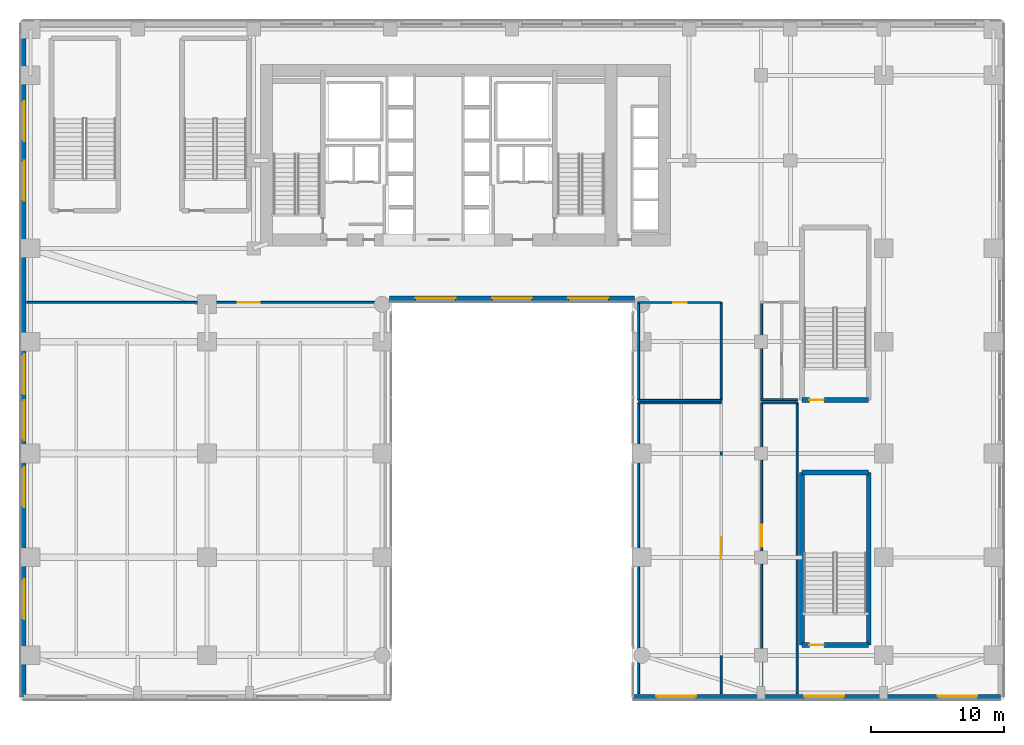
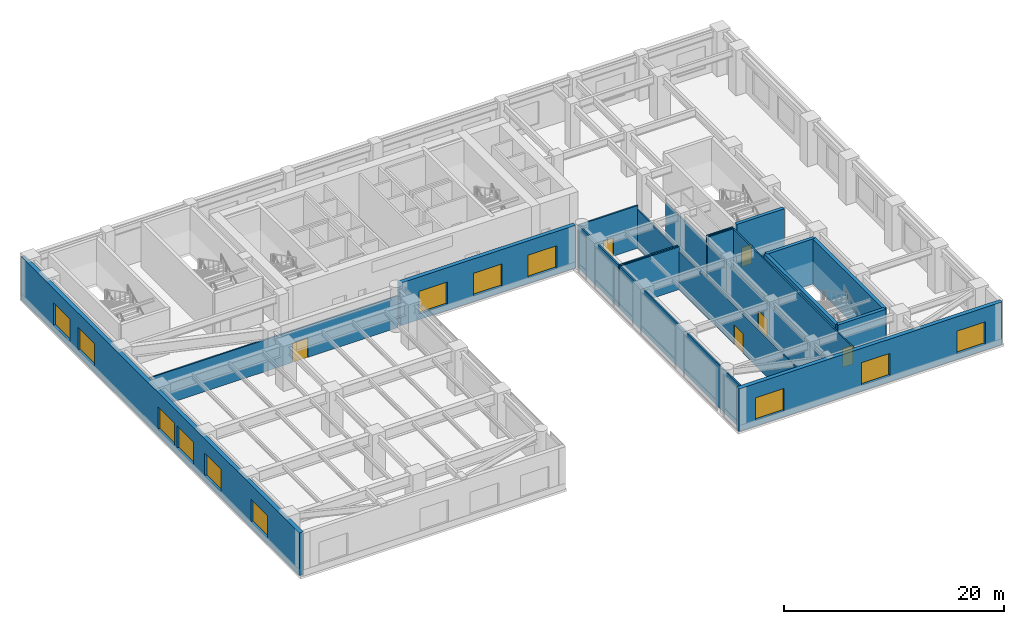
# One storey, part 13 of 24: 22 walls, 12 windows, 6 doors, 18 openings.
"""IFC4 building model written with IfcOpenShell, lengths in metres."""

from ifc_helpers import new_model, si_unit, direction, frame, frame_2d, origin, place, context, subcontext, project, spatial, rectangle, extrude, source, transform, mapped, material, layer, layer_set, type_object, type_shapes, element, fill, save


model = new_model("IFC4")

# Units and contexts
model_context = context("Model", 3, precision=1e-05, world=origin(), true_north=direction((0.0, 1.0)))
body_context = subcontext(model_context, "Body", "Model", "MODEL_VIEW")
ifc_project = project(units=[si_unit("LENGTHUNIT", "METRE"), si_unit("AREAUNIT", "SQUARE_METRE"), si_unit("VOLUMEUNIT", "CUBIC_METRE"), si_unit("PLANEANGLEUNIT", "RADIAN"), si_unit("MASSUNIT", "GRAM", prefix="KILO")], contexts=[model_context])

# Site, building, storey
site_placement = place(None, origin())
site = spatial("IfcSite", under=ifc_project, at=site_placement, CompositionType="ELEMENT")
building_placement = place(site_placement, origin())
building = spatial("IfcBuilding", under=site, at=building_placement, Name="Tolvann Quenvar Hotel", CompositionType="ELEMENT")
storey_placement = place(building_placement, frame((0.0, 0.0, 6.0)))
storey = spatial("IfcBuildingStorey", under=building, at=storey_placement, Name="L01", CompositionType="ELEMENT", Elevation=6.0)

# Wall, opening, door
ifc_material_1 = material(Name="Concrete S65 (65 MPa)", Category="concrete")
ifc_layer_1 = layer(ifc_material_1, 0.35009765625)
ifc_layer_set_1 = layer_set([ifc_layer_1], Name="Concrete S65 (65 MPa)")
wall_type_1 = type_object("IfcWallType", Name="WALL_CORE_INT_350", PredefinedType="SHEAR", material=ifc_layer_set_1)
wall_1_placement = place(storey_placement, frame((50.27490234375, 1.625, 0.0), z_axis=(0.0, 0.0, 1.0), x_axis=(1.0, 0.0, 0.0)))
wall_1 = element("IfcWall", 1, at=wall_1_placement, inside=storey, type_object=wall_type_1, Name="Stairwell ST-P3 Structural Shaft Wall S (L01)", PredefinedType="SHEAR", context=body_context, shape_type="SweptSolid", body=[
    extrude(rectangle(XDim=5.0, YDim=0.35009765625, at=frame_2d((2.5, 0.0))), origin(), (0.0, 0.0, 1.0), 5.0),
])
opening_1_placement = place(wall_1_placement, frame((0.550048828125, 0.0, 0.0)))
opening_1 = element("IfcOpeningElement", 2, at=opening_1_placement, cuts=wall_1, Name="Opening FD-120", PredefinedType="OPENING", context=body_context, shape_type="SweptSolid", body=[
    extrude(rectangle(XDim=1.10009765625, YDim=2.1201171875, at=frame_2d((0.550048828125, 1.06005859375))), frame((0.0, 0.18505859375, 0.0), z_axis=(0.0, -1.0, 0.0), x_axis=(1.0, 0.0, 0.0)), (0.0, 0.0, 1.0), 0.3701171875),
])
ifc_material_2 = material(Name="Pressed galvanised steel fire-rated door set", Category="steel")
door_type_1 = type_object("IfcDoorType", Name="DOOR_FIRE_STAIR_1100", OperationType="NOTDEFINED", PredefinedType="DOOR", material=ifc_material_2)
shared_shape_1 = source(origin(), body_context, "Body", "SweptSolid", [
    extrude(rectangle(XDim=1.10009765625, YDim=2.1201171875, at=frame_2d((0.550048828125, 1.06005859375))), frame((0.0, 0.02490234375, 0.0), z_axis=(0.0, -1.0, 0.0), x_axis=(1.0, 0.0, 0.0)), (0.0, 0.0, 1.0), 0.050048828125),
])
type_shapes(door_type_1, [shared_shape_1])
door_1_placement = place(opening_1_placement, origin())
door_1 = element("IfcDoor", 3, at=door_1_placement, inside=storey, type_object=door_type_1, Name="Exit Stair ST-P3 Fire Door (L01)", OperationType="SINGLE_SWING_LEFT", OverallHeight=2.1201171875, OverallWidth=1.10009765625, PredefinedType="DOOR", context=body_context, shape_type="MappedRepresentation", body=[
    mapped(shared_shape_1, transform((0.0, 0.0, 0.0), x_axis=(1.0, 0.0, 0.0), y_axis=(0.0, 1.0, 0.0), z_axis=(0.0, 0.0, 1.0), scale=1.0)),
])
fill(opening_1, door_1)

# Walls
wall_2_placement = place(storey_placement, frame((55.27490234375, 1.625, 0.0), z_axis=(0.0, 0.0, 1.0), x_axis=(0.0, 1.0, 0.0)))
element("IfcWall", 4, at=wall_2_placement, inside=storey, type_object=wall_type_1, Name="Stairwell ST-P3 Structural Shaft Wall E (L01)", PredefinedType="SHEAR", context=body_context, shape_type="SweptSolid", body=[
    extrude(rectangle(XDim=12.949951171875, YDim=0.35009765625, at=frame_2d((6.47509765625, 0.0))), origin(), (0.0, 0.0, 1.0), 5.0),
])
wall_3_placement = place(storey_placement, frame((55.27490234375, 14.574951171875, 0.0), z_axis=(0.0, 0.0, 1.0), x_axis=(-1.0, 0.0, 0.0)))
element("IfcWall", 5, at=wall_3_placement, inside=storey, type_object=wall_type_1, Name="Stairwell ST-P3 Structural Shaft Wall N (L01)", PredefinedType="SHEAR", context=body_context, shape_type="SweptSolid", body=[
    extrude(rectangle(XDim=5.0, YDim=0.35009765625, at=frame_2d((2.5, 0.0))), origin(), (0.0, 0.0, 1.0), 5.0),
])
wall_4_placement = place(storey_placement, frame((50.27490234375, 14.574951171875, 0.0), z_axis=(0.0, 0.0, 1.0), x_axis=(0.0, -1.0, 0.0)))
element("IfcWall", 6, at=wall_4_placement, inside=storey, type_object=wall_type_1, Name="Stairwell ST-P3 Structural Shaft Wall W (L01)", PredefinedType="SHEAR", context=body_context, shape_type="SweptSolid", body=[
    extrude(rectangle(XDim=12.949951171875, YDim=0.35009765625, at=frame_2d((6.47509765625, 0.0))), origin(), (0.0, 0.0, 1.0), 5.0),
])

# Wall, opening, door
wall_5_placement = place(storey_placement, frame((50.27490234375, 20.02490234375, 0.0), z_axis=(0.0, 0.0, 1.0), x_axis=(1.0, 0.0, 0.0)))
wall_5 = element("IfcWall", 7, at=wall_5_placement, inside=storey, type_object=wall_type_1, Name="Stairwell ST-P4 Structural Shaft Wall S (L01)", PredefinedType="SHEAR", context=body_context, shape_type="SweptSolid", body=[
    extrude(rectangle(XDim=5.0, YDim=0.35009765625, at=frame_2d((2.5, 0.0))), origin(), (0.0, 0.0, 1.0), 5.0),
])
opening_2_placement = place(wall_5_placement, frame((0.550048828125, 0.0, 0.0)))
opening_2 = element("IfcOpeningElement", 8, at=opening_2_placement, cuts=wall_5, Name="Opening FD-120", PredefinedType="OPENING", context=body_context, shape_type="SweptSolid", body=[
    extrude(rectangle(XDim=1.10009765625, YDim=2.1201171875, at=frame_2d((0.550048828125, 1.06005859375))), frame((0.0, 0.18505859375, 0.0), z_axis=(0.0, -1.0, 0.0), x_axis=(1.0, 0.0, 0.0)), (0.0, 0.0, 1.0), 0.3701171875),
])
door_2_placement = place(opening_2_placement, origin())
door_2 = element("IfcDoor", 9, at=door_2_placement, inside=storey, type_object=door_type_1, Name="Exit Stair ST-P4 Fire Door (L01)", OperationType="SINGLE_SWING_RIGHT", OverallHeight=2.1201171875, OverallWidth=1.10009765625, PredefinedType="DOOR", context=body_context, shape_type="MappedRepresentation", body=[
    mapped(shared_shape_1, transform((0.0, 0.0, 0.0), x_axis=(1.0, 0.0, 0.0), y_axis=(0.0, 1.0, 0.0), z_axis=(0.0, 0.0, 1.0), scale=1.0)),
])
fill(opening_2, door_2)

# Wall, openings, windows
ifc_material_3 = material(Name="Kiln-fired red and buff architectural clay brickwork and terracotta masonry", Category="masonry")
ifc_layer_2 = layer(ifc_material_3, 0.419921875)
ifc_layer_set_2 = layer_set([ifc_layer_2], Name="Kiln-fired red and buff architectural clay brickwork and terracotta masonry")
wall_type_2 = type_object("IfcWallType", Name="WALL_EXT_POD_420", PredefinedType="SOLIDWALL", material=ifc_layer_set_2)
wall_6_placement = place(storey_placement, frame((19.2900390625, 27.610107421875, 0.0), z_axis=(0.0, 0.0, 1.0), x_axis=(1.0, 0.0, 0.0)))
wall_6 = element("IfcWall", 10, at=wall_6_placement, inside=storey, type_object=wall_type_2, Name="Exterior Chicago Brick Wall L01-E02", PredefinedType="SOLIDWALL", context=body_context, shape_type="SweptSolid", body=[
    extrude(rectangle(XDim=18.419921875, YDim=0.419921875, at=frame_2d((9.2099609375, 0.0))), origin(), (0.0, 0.0, 1.0), 4.739990234375),
])
opening_3_placement = place(wall_6_placement, frame((1.969970703125, 0.0, 0.64990234375)))
opening_3 = element("IfcOpeningElement", 11, at=opening_3_placement, cuts=wall_6, Name="Opening W-05", PredefinedType="OPENING", context=body_context, shape_type="SweptSolid", body=[
    extrude(rectangle(XDim=3.0, YDim=2.5, at=frame_2d((1.5, 1.25))), frame((0.0, 0.219970703125, 0.0), z_axis=(0.0, -1.0, 0.0), x_axis=(1.0, 0.0, 0.0)), (0.0, 0.0, 1.0), 0.43994140625),
])
opening_4_placement = place(wall_6_placement, frame((7.7099609375, 0.0, 0.64990234375)))
opening_4 = element("IfcOpeningElement", 12, at=opening_4_placement, cuts=wall_6, Name="Opening W-05", PredefinedType="OPENING", context=body_context, shape_type="SweptSolid", body=[
    extrude(rectangle(XDim=3.0, YDim=2.5, at=frame_2d((1.5, 1.25))), frame((0.0, 0.219970703125, 0.0), z_axis=(0.0, -1.0, 0.0), x_axis=(1.0, 0.0, 0.0)), (0.0, 0.0, 1.0), 0.43994140625),
])
opening_5_placement = place(wall_6_placement, frame((13.449951171875, 0.0, 0.64990234375)))
opening_5 = element("IfcOpeningElement", 13, at=opening_5_placement, cuts=wall_6, Name="Opening W-05", PredefinedType="OPENING", context=body_context, shape_type="SweptSolid", body=[
    extrude(rectangle(XDim=3.0, YDim=2.5, at=frame_2d((1.5, 1.25))), frame((0.0, 0.219970703125, 0.0), z_axis=(0.0, -1.0, 0.0), x_axis=(1.0, 0.0, 0.0)), (0.0, 0.0, 1.0), 0.43994140625),
])
ifc_material_4 = material(Name="Thermally broken bronze-anodised aluminium frame with double low-E glazing", Category="aluminium")
window_type = type_object("IfcWindowType", Name="WIN_POD_3000x2600", PartitioningType="TRIPLE_PANEL_HORIZONTAL", PredefinedType="WINDOW", material=ifc_material_4)
shared_shape_2 = source(origin(), body_context, "Body", "SweptSolid", [
    extrude(rectangle(XDim=3.0, YDim=2.5, at=frame_2d((1.5, 1.25))), frame((0.0, 0.090087890625, 0.0), z_axis=(0.0, -1.0, 0.0), x_axis=(1.0, 0.0, 0.0)), (0.0, 0.0, 1.0), 0.06005859375),
])
type_shapes(window_type, [shared_shape_2])
window_1_placement = place(opening_3_placement, origin())
window_1 = element("IfcWindow", 14, at=window_1_placement, inside=storey, type_object=window_type, Name="Chicago Window W-05 (EW-L01-E02-W01)", OverallHeight=2.5, OverallWidth=3.0, PartitioningType="TRIPLE_PANEL_HORIZONTAL", PredefinedType="WINDOW", context=body_context, shape_type="MappedRepresentation", body=[
    mapped(shared_shape_2, transform((0.0, 0.0, 0.0), x_axis=(1.0, 0.0, 0.0), y_axis=(0.0, 1.0, 0.0), z_axis=(0.0, 0.0, 1.0), scale=1.0)),
])
fill(opening_3, window_1)
window_2_placement = place(opening_4_placement, origin())
window_2 = element("IfcWindow", 15, at=window_2_placement, inside=storey, type_object=window_type, Name="Chicago Window W-05 (EW-L01-E02-W02)", OverallHeight=2.5, OverallWidth=3.0, PartitioningType="TRIPLE_PANEL_HORIZONTAL", PredefinedType="WINDOW", context=body_context, shape_type="MappedRepresentation", body=[
    mapped(shared_shape_2, transform((0.0, 0.0, 0.0), x_axis=(1.0, 0.0, 0.0), y_axis=(0.0, 1.0, 0.0), z_axis=(0.0, 0.0, 1.0), scale=1.0)),
])
fill(opening_4, window_2)
window_3_placement = place(opening_5_placement, origin())
window_3 = element("IfcWindow", 16, at=window_3_placement, inside=storey, type_object=window_type, Name="Chicago Window W-05 (EW-L01-E02-W03)", OverallHeight=2.5, OverallWidth=3.0, PartitioningType="TRIPLE_PANEL_HORIZONTAL", PredefinedType="WINDOW", context=body_context, shape_type="MappedRepresentation", body=[
    mapped(shared_shape_2, transform((0.0, 0.0, 0.0), x_axis=(1.0, 0.0, 0.0), y_axis=(0.0, 1.0, 0.0), z_axis=(0.0, 0.0, 1.0), scale=1.0)),
])
fill(opening_5, window_3)

wall_7_placement = place(storey_placement, frame((37.590087890625, -2.2900390625, 0.0), z_axis=(0.0, 0.0, 1.0), x_axis=(1.0, 0.0, 0.0)))
wall_7 = element("IfcWall", 17, at=wall_7_placement, inside=storey, type_object=wall_type_2, Name="Exterior Chicago Brick Wall L01-E04", PredefinedType="SOLIDWALL", context=body_context, shape_type="SweptSolid", body=[
    extrude(rectangle(XDim=27.599853515625, YDim=0.419921875, at=frame_2d((13.7998046875, 0.0))), origin(), (0.0, 0.0, 1.0), 4.739990234375),
])
opening_6_placement = place(wall_7_placement, frame((1.739990234375, 0.0, 0.64990234375)))
opening_6 = element("IfcOpeningElement", 18, at=opening_6_placement, cuts=wall_7, Name="Opening W-05", PredefinedType="OPENING", context=body_context, shape_type="SweptSolid", body=[
    extrude(rectangle(XDim=3.0, YDim=2.5, at=frame_2d((1.5, 1.25))), frame((0.0, 0.219970703125, 0.0), z_axis=(0.0, -1.0, 0.0), x_axis=(1.0, 0.0, 0.0)), (0.0, 0.0, 1.0), 0.43994140625),
])
opening_7_placement = place(wall_7_placement, frame((12.85009765625, 0.0, 0.64990234375)))
opening_7 = element("IfcOpeningElement", 19, at=opening_7_placement, cuts=wall_7, Name="Opening W-05", PredefinedType="OPENING", context=body_context, shape_type="SweptSolid", body=[
    extrude(rectangle(XDim=3.0, YDim=2.5, at=frame_2d((1.5, 1.25))), frame((0.0, 0.219970703125, 0.0), z_axis=(0.0, -1.0, 0.0), x_axis=(1.0, 0.0, 0.0)), (0.0, 0.0, 1.0), 0.43994140625),
])
opening_8_placement = place(wall_7_placement, frame((22.860107421875, 0.0, 0.64990234375)))
opening_8 = element("IfcOpeningElement", 20, at=opening_8_placement, cuts=wall_7, Name="Opening W-05", PredefinedType="OPENING", context=body_context, shape_type="SweptSolid", body=[
    extrude(rectangle(XDim=3.0, YDim=2.5, at=frame_2d((1.5, 1.25))), frame((0.0, 0.219970703125, 0.0), z_axis=(0.0, -1.0, 0.0), x_axis=(1.0, 0.0, 0.0)), (0.0, 0.0, 1.0), 0.43994140625),
])
window_4_placement = place(opening_6_placement, origin())
window_4 = element("IfcWindow", 21, at=window_4_placement, inside=storey, type_object=window_type, Name="Chicago Window W-05 (EW-L01-E04-W01)", OverallHeight=2.5, OverallWidth=3.0, PartitioningType="TRIPLE_PANEL_HORIZONTAL", PredefinedType="WINDOW", context=body_context, shape_type="MappedRepresentation", body=[
    mapped(shared_shape_2, transform((0.0, 0.0, 0.0), x_axis=(1.0, 0.0, 0.0), y_axis=(0.0, 1.0, 0.0), z_axis=(0.0, 0.0, 1.0), scale=1.0)),
])
fill(opening_6, window_4)
window_5_placement = place(opening_7_placement, origin())
window_5 = element("IfcWindow", 22, at=window_5_placement, inside=storey, type_object=window_type, Name="Chicago Window W-05 (EW-L01-E04-W02)", OverallHeight=2.5, OverallWidth=3.0, PartitioningType="TRIPLE_PANEL_HORIZONTAL", PredefinedType="WINDOW", context=body_context, shape_type="MappedRepresentation", body=[
    mapped(shared_shape_2, transform((0.0, 0.0, 0.0), x_axis=(1.0, 0.0, 0.0), y_axis=(0.0, 1.0, 0.0), z_axis=(0.0, 0.0, 1.0), scale=1.0)),
])
fill(opening_7, window_5)
window_6_placement = place(opening_8_placement, origin())
window_6 = element("IfcWindow", 23, at=window_6_placement, inside=storey, type_object=window_type, Name="Chicago Window W-05 (EW-L01-E04-W03)", OverallHeight=2.5, OverallWidth=3.0, PartitioningType="TRIPLE_PANEL_HORIZONTAL", PredefinedType="WINDOW", context=body_context, shape_type="MappedRepresentation", body=[
    mapped(shared_shape_2, transform((0.0, 0.0, 0.0), x_axis=(1.0, 0.0, 0.0), y_axis=(0.0, 1.0, 0.0), z_axis=(0.0, 0.0, 1.0), scale=1.0)),
])
fill(opening_8, window_6)

wall_8_placement = place(storey_placement, frame((-8.18994140625, 48.2900390625, 0.0), z_axis=(0.0, 0.0, 1.0), x_axis=(0.0, -1.0, 0.0)))
wall_8 = element("IfcWall", 24, at=wall_8_placement, inside=storey, type_object=wall_type_2, Name="Exterior Chicago Brick Wall L01-E07", PredefinedType="SOLIDWALL", context=body_context, shape_type="SweptSolid", body=[
    extrude(rectangle(XDim=50.580078125, YDim=0.419921875, at=frame_2d((25.2900390625, 0.0))), origin(), (0.0, 0.0, 1.0), 4.739990234375),
])
opening_9_placement = place(wall_8_placement, frame((5.833984375, 0.0, 0.64990234375)))
opening_9 = element("IfcOpeningElement", 25, at=opening_9_placement, cuts=wall_8, Name="Opening W-05", PredefinedType="OPENING", context=body_context, shape_type="SweptSolid", body=[
    extrude(rectangle(XDim=3.0, YDim=2.5, at=frame_2d((1.5, 1.25))), frame((0.0, 0.219970703125, 0.0), z_axis=(0.0, -1.0, 0.0), x_axis=(1.0, 0.0, 0.0)), (0.0, 0.0, 1.0), 0.43994140625),
])
opening_10_placement = place(wall_8_placement, frame((10.322998046875, 0.0, 0.64990234375)))
opening_10 = element("IfcOpeningElement", 26, at=opening_10_placement, cuts=wall_8, Name="Opening W-05", PredefinedType="OPENING", context=body_context, shape_type="SweptSolid", body=[
    extrude(rectangle(XDim=3.0, YDim=2.5, at=frame_2d((1.5, 1.25))), frame((0.0, 0.219970703125, 0.0), z_axis=(0.0, -1.0, 0.0), x_axis=(1.0, 0.0, 0.0)), (0.0, 0.0, 1.0), 0.43994140625),
])
opening_11_placement = place(wall_8_placement, frame((24.840087890625, 0.0, 0.64990234375)))
opening_11 = element("IfcOpeningElement", 27, at=opening_11_placement, cuts=wall_8, Name="Opening W-05", PredefinedType="OPENING", context=body_context, shape_type="SweptSolid", body=[
    extrude(rectangle(XDim=3.0, YDim=2.5, at=frame_2d((1.5, 1.25))), frame((0.0, 0.219970703125, 0.0), z_axis=(0.0, -1.0, 0.0), x_axis=(1.0, 0.0, 0.0)), (0.0, 0.0, 1.0), 0.43994140625),
])
opening_12_placement = place(wall_8_placement, frame((28.279052734375, 0.0, 0.64990234375)))
opening_12 = element("IfcOpeningElement", 28, at=opening_12_placement, cuts=wall_8, Name="Opening W-05", PredefinedType="OPENING", context=body_context, shape_type="SweptSolid", body=[
    extrude(rectangle(XDim=3.0, YDim=2.5, at=frame_2d((1.5, 1.25))), frame((0.0, 0.219970703125, 0.0), z_axis=(0.0, -1.0, 0.0), x_axis=(1.0, 0.0, 0.0)), (0.0, 0.0, 1.0), 0.43994140625),
])
opening_13_placement = place(wall_8_placement, frame((33.318115234375, 0.0, 0.64990234375)))
opening_13 = element("IfcOpeningElement", 29, at=opening_13_placement, cuts=wall_8, Name="Opening W-05", PredefinedType="OPENING", context=body_context, shape_type="SweptSolid", body=[
    extrude(rectangle(XDim=3.0, YDim=2.5, at=frame_2d((1.5, 1.25))), frame((0.0, 0.219970703125, 0.0), z_axis=(0.0, -1.0, 0.0), x_axis=(1.0, 0.0, 0.0)), (0.0, 0.0, 1.0), 0.43994140625),
])
opening_14_placement = place(wall_8_placement, frame((41.74609375, 0.0, 0.64990234375)))
opening_14 = element("IfcOpeningElement", 30, at=opening_14_placement, cuts=wall_8, Name="Opening W-05", PredefinedType="OPENING", context=body_context, shape_type="SweptSolid", body=[
    extrude(rectangle(XDim=3.0, YDim=2.5, at=frame_2d((1.5, 1.25))), frame((0.0, 0.219970703125, 0.0), z_axis=(0.0, -1.0, 0.0), x_axis=(1.0, 0.0, 0.0)), (0.0, 0.0, 1.0), 0.43994140625),
])
window_7_placement = place(opening_9_placement, origin())
window_7 = element("IfcWindow", 31, at=window_7_placement, inside=storey, type_object=window_type, Name="Chicago Window W-05 (EW-L01-E07-W01)", OverallHeight=2.5, OverallWidth=3.0, PartitioningType="TRIPLE_PANEL_HORIZONTAL", PredefinedType="WINDOW", context=body_context, shape_type="MappedRepresentation", body=[
    mapped(shared_shape_2, transform((0.0, 0.0, 0.0), x_axis=(1.0, 0.0, 0.0), y_axis=(0.0, 1.0, 0.0), z_axis=(0.0, 0.0, 1.0), scale=1.0)),
])
fill(opening_9, window_7)
window_8_placement = place(opening_10_placement, origin())
window_8 = element("IfcWindow", 32, at=window_8_placement, inside=storey, type_object=window_type, Name="Chicago Window W-05 (EW-L01-E07-W02)", OverallHeight=2.5, OverallWidth=3.0, PartitioningType="TRIPLE_PANEL_HORIZONTAL", PredefinedType="WINDOW", context=body_context, shape_type="MappedRepresentation", body=[
    mapped(shared_shape_2, transform((0.0, 0.0, 0.0), x_axis=(1.0, 0.0, 0.0), y_axis=(0.0, 1.0, 0.0), z_axis=(0.0, 0.0, 1.0), scale=1.0)),
])
fill(opening_10, window_8)
window_9_placement = place(opening_11_placement, origin())
window_9 = element("IfcWindow", 33, at=window_9_placement, inside=storey, type_object=window_type, Name="Chicago Window W-05 (EW-L01-E07-W03)", OverallHeight=2.5, OverallWidth=3.0, PartitioningType="TRIPLE_PANEL_HORIZONTAL", PredefinedType="WINDOW", context=body_context, shape_type="MappedRepresentation", body=[
    mapped(shared_shape_2, transform((0.0, 0.0, 0.0), x_axis=(1.0, 0.0, 0.0), y_axis=(0.0, 1.0, 0.0), z_axis=(0.0, 0.0, 1.0), scale=1.0)),
])
fill(opening_11, window_9)
window_10_placement = place(opening_12_placement, origin())
window_10 = element("IfcWindow", 34, at=window_10_placement, inside=storey, type_object=window_type, Name="Chicago Window W-05 (EW-L01-E07-W04)", OverallHeight=2.5, OverallWidth=3.0, PartitioningType="TRIPLE_PANEL_HORIZONTAL", PredefinedType="WINDOW", context=body_context, shape_type="MappedRepresentation", body=[
    mapped(shared_shape_2, transform((0.0, 0.0, 0.0), x_axis=(1.0, 0.0, 0.0), y_axis=(0.0, 1.0, 0.0), z_axis=(0.0, 0.0, 1.0), scale=1.0)),
])
fill(opening_12, window_10)
window_11_placement = place(opening_13_placement, origin())
window_11 = element("IfcWindow", 35, at=window_11_placement, inside=storey, type_object=window_type, Name="Chicago Window W-05 (EW-L01-E07-W05)", OverallHeight=2.5, OverallWidth=3.0, PartitioningType="TRIPLE_PANEL_HORIZONTAL", PredefinedType="WINDOW", context=body_context, shape_type="MappedRepresentation", body=[
    mapped(shared_shape_2, transform((0.0, 0.0, 0.0), x_axis=(1.0, 0.0, 0.0), y_axis=(0.0, 1.0, 0.0), z_axis=(0.0, 0.0, 1.0), scale=1.0)),
])
fill(opening_13, window_11)
window_12_placement = place(opening_14_placement, origin())
window_12 = element("IfcWindow", 36, at=window_12_placement, inside=storey, type_object=window_type, Name="Chicago Window W-05 (EW-L01-E07-W06)", OverallHeight=2.5, OverallWidth=3.0, PartitioningType="TRIPLE_PANEL_HORIZONTAL", PredefinedType="WINDOW", context=body_context, shape_type="MappedRepresentation", body=[
    mapped(shared_shape_2, transform((0.0, 0.0, 0.0), x_axis=(1.0, 0.0, 0.0), y_axis=(0.0, 1.0, 0.0), z_axis=(0.0, 0.0, 1.0), scale=1.0)),
])
fill(opening_14, window_12)

# Wall, opening, door
ifc_material_5 = material(Name="Acoustic twin-stud fire-rated gypsum plasterboard partition")
ifc_layer_3 = layer(ifc_material_5, 0.14990234375)
ifc_layer_set_3 = layer_set([ifc_layer_3], Name="Acoustic twin-stud fire-rated gypsum plasterboard partition")
wall_type_3 = type_object("IfcWallType", Name="WALL_PART_SUITE_150", PredefinedType="PARTITIONING", material=ifc_layer_set_3)
wall_9_placement = place(storey_placement, frame((-7.925048828125, 27.35009765625, 0.0), z_axis=(0.0, 0.0, 1.0), x_axis=(1.0, 0.0, 0.0)))
wall_9 = element("IfcWall", 37, at=wall_9_placement, inside=storey, type_object=wall_type_3, Name="Interior Partition PT-SPC-L01-BRAS-N", PredefinedType="PARTITIONING", context=body_context, shape_type="SweptSolid", body=[
    extrude(rectangle(XDim=26.925048828125, YDim=0.14990234375, at=frame_2d((13.46240234375, 0.0))), origin(), (0.0, 0.0, 1.0), 3.530029296875),
])
opening_15_placement = place(wall_9_placement, frame((15.83740234375, 0.0, 0.0)))
opening_15 = element("IfcOpeningElement", 38, at=opening_15_placement, cuts=wall_9, Name="Opening AD-01", PredefinedType="OPENING", context=body_context, shape_type="SweptSolid", body=[
    extrude(rectangle(XDim=1.64990234375, YDim=2.14990234375, at=frame_2d((0.824951171875, 1.074951171875))), frame((0.0, 0.0849609375, 0.0), z_axis=(0.0, -1.0, 0.0), x_axis=(1.0, 0.0, 0.0)), (0.0, 0.0, 1.0), 0.169921875),
])
ifc_material_6 = material(Name="Solid-core American oak acoustic fire door leaf in steel frame", Category="steel")
door_type_2 = type_object("IfcDoorType", Name="DOOR_SALON_1650", OperationType="NOTDEFINED", PredefinedType="DOOR", material=ifc_material_6)
shared_shape_3 = source(origin(), body_context, "Body", "SweptSolid", [
    extrude(rectangle(XDim=1.64990234375, YDim=2.14990234375, at=frame_2d((0.824951171875, 1.074951171875))), frame((0.0, 0.02490234375, 0.0), z_axis=(0.0, -1.0, 0.0), x_axis=(1.0, 0.0, 0.0)), (0.0, 0.0, 1.0), 0.050048828125),
])
type_shapes(door_type_2, [shared_shape_3])
door_3_placement = place(opening_15_placement, origin())
door_3 = element("IfcDoor", 39, at=door_3_placement, inside=storey, type_object=door_type_2, Name="Interior Door DOOR-SPC-L01-BRAS", OperationType="DOUBLE_DOOR_SINGLE_SWING", OverallHeight=2.14990234375, OverallWidth=1.64990234375, PredefinedType="DOOR", context=body_context, shape_type="MappedRepresentation", body=[
    mapped(shared_shape_3, transform((0.0, 0.0, 0.0), x_axis=(1.0, 0.0, 0.0), y_axis=(0.0, 1.0, 0.0), z_axis=(0.0, 0.0, 1.0), scale=1.0)),
])
fill(opening_15, door_3)

# Walls
wall_10_placement = place(storey_placement, frame((38.0, 19.800048828125, 0.0), z_axis=(0.0, 0.0, 1.0), x_axis=(1.0, 0.0, 0.0)))
element("IfcWall", 40, at=wall_10_placement, inside=storey, type_object=wall_type_3, Name="Interior Partition PT-SPC-L01-WINE-N", PredefinedType="PARTITIONING", context=body_context, shape_type="SweptSolid", body=[
    extrude(rectangle(XDim=6.199951171875, YDim=0.14990234375, at=frame_2d((3.10009765625, 0.0))), origin(), (0.0, 0.0, 1.0), 4.739990234375),
])
wall_11_placement = place(storey_placement, frame((38.0, -2.02490234375, 0.0), z_axis=(0.0, 0.0, 1.0), x_axis=(0.0, 1.0, 0.0)))
element("IfcWall", 41, at=wall_11_placement, inside=storey, type_object=wall_type_3, Name="Interior Partition PT-SPC-L01-WINE-W", PredefinedType="PARTITIONING", context=body_context, shape_type="SweptSolid", body=[
    extrude(rectangle(XDim=21.824951171875, YDim=0.14990234375, at=frame_2d((10.91259765625, 0.0))), origin(), (0.0, 0.0, 1.0), 4.739990234375),
])

# Wall, opening, door
wall_12_placement = place(storey_placement, frame((44.199951171875, -2.02490234375, 0.0), z_axis=(0.0, 0.0, 1.0), x_axis=(0.0, 1.0, 0.0)))
wall_12 = element("IfcWall", 42, at=wall_12_placement, inside=storey, type_object=wall_type_3, Name="Interior Partition PT-SPC-L01-WINE-E", PredefinedType="PARTITIONING", context=body_context, shape_type="SweptSolid", body=[
    extrude(rectangle(XDim=21.824951171875, YDim=0.14990234375, at=frame_2d((10.91259765625, 0.0))), origin(), (0.0, 0.0, 1.0), 4.27587890625),
])
opening_16_placement = place(wall_12_placement, frame((10.08740234375, 0.0, 0.0)))
opening_16 = element("IfcOpeningElement", 43, at=opening_16_placement, cuts=wall_12, Name="Opening AD-01", PredefinedType="OPENING", context=body_context, shape_type="SweptSolid", body=[
    extrude(rectangle(XDim=1.64990234375, YDim=2.14990234375, at=frame_2d((0.824951171875, 1.074951171875))), frame((0.0, 0.0849609375, 0.0), z_axis=(0.0, -1.0, 0.0), x_axis=(1.0, 0.0, 0.0)), (0.0, 0.0, 1.0), 0.169921875),
])
door_4_placement = place(opening_16_placement, origin())
door_4 = element("IfcDoor", 44, at=door_4_placement, inside=storey, type_object=door_type_2, Name="Interior Door DOOR-SPC-L01-WINE", OperationType="DOUBLE_DOOR_SINGLE_SWING", OverallHeight=2.14990234375, OverallWidth=1.64990234375, PredefinedType="DOOR", context=body_context, shape_type="MappedRepresentation", body=[
    mapped(shared_shape_3, transform((0.0, 0.0, 0.0), x_axis=(1.0, 0.0, 0.0), y_axis=(0.0, 1.0, 0.0), z_axis=(0.0, 0.0, 1.0), scale=1.0)),
])
fill(opening_16, door_4)

# Wall
wall_13_placement = place(storey_placement, frame((38.0, 20.0, 0.0), z_axis=(0.0, 0.0, 1.0), x_axis=(1.0, 0.0, 0.0)))
element("IfcWall", 45, at=wall_13_placement, inside=storey, type_object=wall_type_3, Name="Interior Partition PT-SPC-L01-KIT-S", PredefinedType="PARTITIONING", context=body_context, shape_type="SweptSolid", body=[
    extrude(rectangle(XDim=6.199951171875, YDim=0.14990234375, at=frame_2d((3.10009765625, 0.0))), origin(), (0.0, 0.0, 1.0), 4.739990234375),
])

# Wall, opening, door
wall_14_placement = place(storey_placement, frame((38.0, 27.35009765625, 0.0), z_axis=(0.0, 0.0, 1.0), x_axis=(1.0, 0.0, 0.0)))
wall_14 = element("IfcWall", 46, at=wall_14_placement, inside=storey, type_object=wall_type_3, Name="Interior Partition PT-SPC-L01-KIT-N", PredefinedType="PARTITIONING", context=body_context, shape_type="SweptSolid", body=[
    extrude(rectangle(XDim=6.199951171875, YDim=0.14990234375, at=frame_2d((3.10009765625, 0.0))), origin(), (0.0, 0.0, 1.0), 4.739990234375),
])
opening_17_placement = place(wall_14_placement, frame((2.590087890625, 0.0, 0.0)))
opening_17 = element("IfcOpeningElement", 47, at=opening_17_placement, cuts=wall_14, Name="Opening HD-01", PredefinedType="OPENING", context=body_context, shape_type="SweptSolid", body=[
    extrude(rectangle(XDim=1.02001953125, YDim=2.030029296875, at=frame_2d((0.510009765625, 1.01513671875))), frame((0.0, 0.0849609375, 0.0), z_axis=(0.0, -1.0, 0.0), x_axis=(1.0, 0.0, 0.0)), (0.0, 0.0, 1.0), 0.169921875),
])
door_type_3 = type_object("IfcDoorType", Name="DOOR_BOH_1020", OperationType="NOTDEFINED", PredefinedType="DOOR", material=ifc_material_2)
shared_shape_4 = source(origin(), body_context, "Body", "SweptSolid", [
    extrude(rectangle(XDim=1.02001953125, YDim=2.030029296875, at=frame_2d((0.510009765625, 1.01513671875))), frame((0.0, 0.02490234375, 0.0), z_axis=(0.0, -1.0, 0.0), x_axis=(1.0, 0.0, 0.0)), (0.0, 0.0, 1.0), 0.050048828125),
])
type_shapes(door_type_3, [shared_shape_4])
door_5_placement = place(opening_17_placement, origin())
door_5 = element("IfcDoor", 48, at=door_5_placement, inside=storey, type_object=door_type_3, Name="Interior Door DOOR-SPC-L01-KIT", OperationType="SINGLE_SWING_RIGHT", OverallHeight=2.030029296875, OverallWidth=1.02001953125, PredefinedType="DOOR", context=body_context, shape_type="MappedRepresentation", body=[
    mapped(shared_shape_4, transform((0.0, 0.0, 0.0), x_axis=(1.0, 0.0, 0.0), y_axis=(0.0, 1.0, 0.0), z_axis=(0.0, 0.0, 1.0), scale=1.0)),
])
fill(opening_17, door_5)

# Walls
wall_15_placement = place(storey_placement, frame((38.0, 20.0, 0.0), z_axis=(0.0, 0.0, 1.0), x_axis=(0.0, 1.0, 0.0)))
element("IfcWall", 49, at=wall_15_placement, inside=storey, type_object=wall_type_3, Name="Interior Partition PT-SPC-L01-KIT-W", PredefinedType="PARTITIONING", context=body_context, shape_type="SweptSolid", body=[
    extrude(rectangle(XDim=7.39990234375, YDim=0.14990234375, at=frame_2d((3.699951171875, 0.0))), origin(), (0.0, 0.0, 1.0), 4.739990234375),
])
wall_16_placement = place(storey_placement, frame((44.199951171875, 20.0, 0.0), z_axis=(0.0, 0.0, 1.0), x_axis=(0.0, 1.0, 0.0)))
element("IfcWall", 50, at=wall_16_placement, inside=storey, type_object=wall_type_3, Name="Interior Partition PT-SPC-L01-KIT-E", PredefinedType="PARTITIONING", context=body_context, shape_type="SweptSolid", body=[
    extrude(rectangle(XDim=7.35009765625, YDim=0.14990234375, at=frame_2d((3.675048828125, 0.0))), origin(), (0.0, 0.0, 1.0), 4.27587890625),
])
wall_17_placement = place(storey_placement, frame((47.25, 19.800048828125, 0.0), z_axis=(0.0, 0.0, 1.0), x_axis=(1.0, 0.0, 0.0)))
element("IfcWall", 51, at=wall_17_placement, inside=storey, type_object=wall_type_3, Name="Interior Partition PT-SPC-L01-PDR-N", PredefinedType="PARTITIONING", context=body_context, shape_type="SweptSolid", body=[
    extrude(rectangle(XDim=2.64990234375, YDim=0.14990234375, at=frame_2d((1.324951171875, 0.0))), origin(), (0.0, 0.0, 1.0), 4.739990234375),
])

# Wall, opening, door
wall_18_placement = place(storey_placement, frame((47.25, -2.02490234375, 0.0), z_axis=(0.0, 0.0, 1.0), x_axis=(0.0, 1.0, 0.0)))
wall_18 = element("IfcWall", 52, at=wall_18_placement, inside=storey, type_object=wall_type_3, Name="Interior Partition PT-SPC-L01-PDR-W", PredefinedType="PARTITIONING", context=body_context, shape_type="SweptSolid", body=[
    extrude(rectangle(XDim=21.824951171875, YDim=0.14990234375, at=frame_2d((10.91259765625, 0.0))), origin(), (0.0, 0.0, 1.0), 3.9140625),
])
opening_18_placement = place(wall_18_placement, frame((11.03759765625, 0.0, 0.0)))
opening_18 = element("IfcOpeningElement", 53, at=opening_18_placement, cuts=wall_18, Name="Opening AD-01", PredefinedType="OPENING", context=body_context, shape_type="SweptSolid", body=[
    extrude(rectangle(XDim=1.64990234375, YDim=2.14990234375, at=frame_2d((0.824951171875, 1.074951171875))), frame((0.0, 0.0849609375, 0.0), z_axis=(0.0, -1.0, 0.0), x_axis=(1.0, 0.0, 0.0)), (0.0, 0.0, 1.0), 0.169921875),
])
door_6_placement = place(opening_18_placement, origin())
door_6 = element("IfcDoor", 54, at=door_6_placement, inside=storey, type_object=door_type_2, Name="Interior Door DOOR-SPC-L01-PDR", OperationType="DOUBLE_DOOR_SINGLE_SWING", OverallHeight=2.14990234375, OverallWidth=1.64990234375, PredefinedType="DOOR", context=body_context, shape_type="MappedRepresentation", body=[
    mapped(shared_shape_3, transform((0.0, 0.0, 0.0), x_axis=(1.0, 0.0, 0.0), y_axis=(0.0, 1.0, 0.0), z_axis=(0.0, 0.0, 1.0), scale=1.0)),
])
fill(opening_18, door_6)

# Walls
wall_19_placement = place(storey_placement, frame((49.89990234375, -2.02490234375, 0.0), z_axis=(0.0, 0.0, 1.0), x_axis=(0.0, 1.0, 0.0)))
element("IfcWall", 55, at=wall_19_placement, inside=storey, type_object=wall_type_3, Name="Interior Partition PT-SPC-L01-PDR-E", PredefinedType="PARTITIONING", context=body_context, shape_type="SweptSolid", body=[
    extrude(rectangle(XDim=21.824951171875, YDim=0.14990234375, at=frame_2d((10.91259765625, 0.0))), origin(), (0.0, 0.0, 1.0), 4.739990234375),
])
wall_20_placement = place(storey_placement, frame((47.179931640625, 20.050048828125, 0.0), z_axis=(0.0, 0.0, 1.0), x_axis=(1.0, 0.0, 0.0)))
element("IfcWall", 56, at=wall_20_placement, inside=storey, type_object=wall_type_3, Name="Interior Partition PT-SPC-L01-WC1-S", PredefinedType="PARTITIONING", context=body_context, shape_type="SweptSolid", body=[
    extrude(rectangle(XDim=1.64013671875, YDim=0.14990234375, at=frame_2d((0.820068359375, 0.0))), origin(), (0.0, 0.0, 1.0), 4.739990234375),
])
wall_21_placement = place(storey_placement, frame((47.25, 19.97998046875, 0.0), z_axis=(0.0, 0.0, 1.0), x_axis=(0.0, 1.0, 0.0)))
element("IfcWall", 57, at=wall_21_placement, inside=storey, type_object=wall_type_3, Name="Interior Partition PT-SPC-L01-WC1-W", PredefinedType="PARTITIONING", context=body_context, shape_type="SweptSolid", body=[
    extrude(rectangle(XDim=7.43994140625, YDim=0.14990234375, at=frame_2d((3.719970703125, 0.0))), origin(), (0.0, 0.0, 1.0), 3.9140625),
])
wall_22_placement = place(storey_placement, frame((48.830078125, 20.050048828125, 0.0), z_axis=(0.0, 0.0, 1.0), x_axis=(1.0, 0.0, 0.0)))
element("IfcWall", 58, at=wall_22_placement, inside=storey, type_object=wall_type_3, Name="Interior Partition PT-SPC-L01-WCA-S", PredefinedType="PARTITIONING", context=body_context, shape_type="SweptSolid", body=[
    extrude(rectangle(XDim=1.139892578125, YDim=0.14990234375, at=frame_2d((0.56982421875, 0.0))), origin(), (0.0, 0.0, 1.0), 4.739990234375),
])

save(model, "model.ifc")
